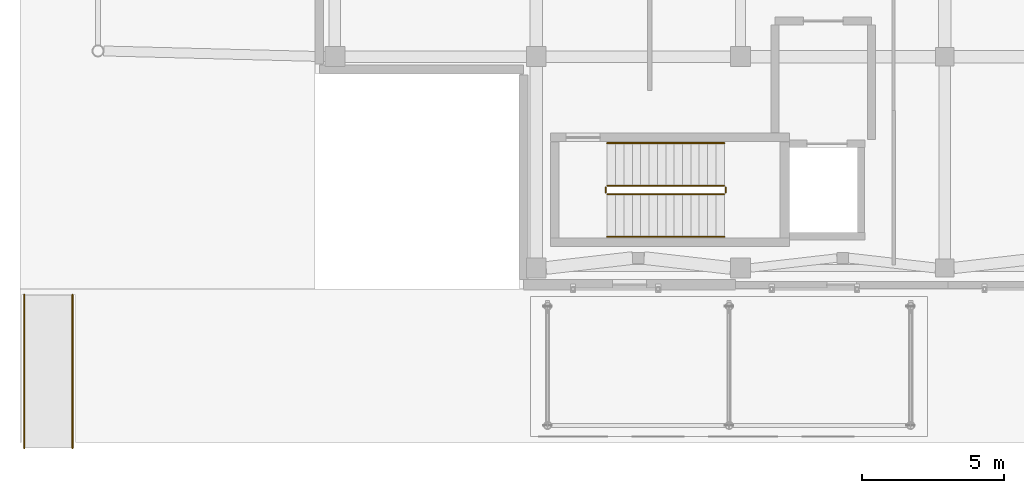
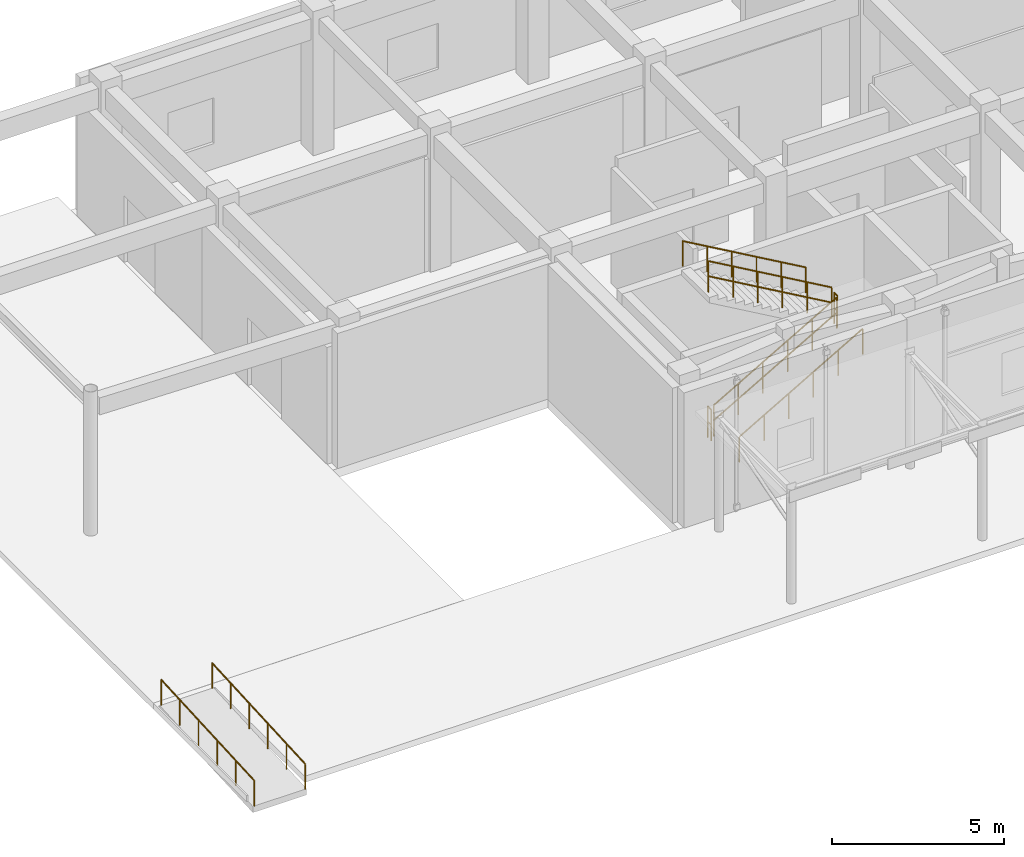
# One storey, part 111 of 121: 8 railings.
"""IFC4 building model written with IfcOpenShell, lengths in metres."""

from ifc_helpers import new_model, si_unit, direction, frame, origin, origin_2d, place, context, subcontext, project, spatial, circle, extrude, material, type_object, element, save


model = new_model("IFC4")

# Units and contexts
model_context = context("Model", 3, precision=1e-05, world=origin(), true_north=direction((0.0, 1.0)))
body_context = subcontext(model_context, "Body", "Model", "MODEL_VIEW")
ifc_project = project(units=[si_unit("LENGTHUNIT", "METRE"), si_unit("AREAUNIT", "SQUARE_METRE"), si_unit("VOLUMEUNIT", "CUBIC_METRE"), si_unit("PLANEANGLEUNIT", "RADIAN"), si_unit("MASSUNIT", "GRAM", prefix="KILO")], contexts=[model_context])

# Site, building, storey
site_placement = place(None, origin())
site = spatial("IfcSite", under=ifc_project, at=site_placement, CompositionType="ELEMENT")
building_placement = place(site_placement, origin())
building = spatial("IfcBuilding", under=site, at=building_placement, Name="Valcora Specialist Clinic", CompositionType="ELEMENT")
storey_placement = place(building_placement, origin())
storey = spatial("IfcBuildingStorey", under=building, at=storey_placement, Name="L00", CompositionType="ELEMENT", Elevation=0.0)

# Railings
ifc_material = material(Name="Stainless Steel AISI 316", Category="steel")
railing_type_1 = type_object("IfcRailingType", Name="TY-RL-GRD112", PredefinedType="GUARDRAIL", material=ifc_material)
railing_1_placement = place(storey_placement, frame((18.699951171875, 3.35009765625, 0.169921875)))
element("IfcRailing", 1, at=railing_1_placement, inside=storey, type_object=railing_type_1, Name="L00 ST-V5A stair guard 1", PredefinedType="GUARDRAIL", context=body_context, shape_type="SweptSolid", body=[
    extrude(circle(Radius=0.02392578125, at=origin_2d()), frame((0.0, 0.0, 1.09619140625), z_axis=(0.866425082981, 0.0, 0.499307095465), x_axis=(0.0, 1.0, 0.0)), (0.0, 0.0, 1.0), 4.766845703125),
    extrude(circle(Radius=0.02392578125, at=origin_2d()), frame((0.0, 0.0, 0.56005859375), z_axis=(0.866425082981, 0.0, 0.499307095465), x_axis=(0.0, 1.0, 0.0)), (0.0, 0.0, 1.0), 4.766845703125),
    extrude(circle(Radius=0.02099609375, at=origin_2d()), origin(), (0.0, 0.0, 1.0), 1.072021484375),
    extrude(circle(Radius=0.02099609375, at=origin_2d()), frame((0.825927734375, 0.0, 0.47607421875)), (0.0, 0.0, 1.0), 1.072021484375),
    extrude(circle(Radius=0.02099609375, at=origin_2d()), frame((1.652099609375, 0.0, 0.9521484375)), (0.0, 0.0, 1.0), 1.072021484375),
    extrude(circle(Radius=0.02099609375, at=origin_2d()), frame((2.47802734375, 0.0, 1.427978515625)), (0.0, 0.0, 1.0), 1.072021484375),
    extrude(circle(Radius=0.02099609375, at=origin_2d()), frame((3.30419921875, 0.0, 1.904052734375)), (0.0, 0.0, 1.0), 1.072021484375),
    extrude(circle(Radius=0.02099609375, at=origin_2d()), frame((4.130126953125, 0.0, 2.380126953125)), (0.0, 0.0, 1.0), 1.072021484375),
])
railing_2_placement = place(storey_placement, frame((22.8798828125, 3.39990234375, 2.550048828125)))
element("IfcRailing", 2, at=railing_2_placement, inside=storey, type_object=railing_type_1, Name="L00 ST-V5A stair guard 2", PredefinedType="GUARDRAIL", context=body_context, shape_type="SweptSolid", body=[
    extrude(circle(Radius=0.02392578125, at=origin_2d()), frame((0.0, 0.0, 1.09619140625), z_axis=(0.0, 1.0, 0.0), x_axis=(-1.0, 0.0, 0.0)), (0.0, 0.0, 1.0), 0.2001953125),
    extrude(circle(Radius=0.02392578125, at=origin_2d()), frame((0.0, 0.0, 0.56005859375), z_axis=(0.0, 1.0, 0.0), x_axis=(-1.0, 0.0, 0.0)), (0.0, 0.0, 1.0), 0.2001953125),
    extrude(circle(Radius=0.02099609375, at=origin_2d()), origin(), (0.0, 0.0, 1.0), 1.072021484375),
    extrude(circle(Radius=0.02099609375, at=origin_2d()), frame((0.0, 0.2001953125, 0.0)), (0.0, 0.0, 1.0), 1.072021484375),
])
railing_3_placement = place(storey_placement, frame((22.830078125, 3.64990234375, 2.719970703125)))
element("IfcRailing", 3, at=railing_3_placement, inside=storey, type_object=railing_type_1, Name="L00 ST-V5A stair guard 3", PredefinedType="GUARDRAIL", context=body_context, shape_type="SweptSolid", body=[
    extrude(circle(Radius=0.02392578125, at=origin_2d()), frame((0.0, 0.0, 1.09619140625), z_axis=(-0.866425082981, 0.0, 0.499307095465), x_axis=(0.0, -1.0, 0.0)), (0.0, 0.0, 1.0), 4.766845703125),
    extrude(circle(Radius=0.02392578125, at=origin_2d()), frame((0.0, 0.0, 0.56005859375), z_axis=(-0.866425082981, 0.0, 0.499307095465), x_axis=(0.0, -1.0, 0.0)), (0.0, 0.0, 1.0), 4.766845703125),
    extrude(circle(Radius=0.02099609375, at=origin_2d()), origin(), (0.0, 0.0, 1.0), 1.072021484375),
    extrude(circle(Radius=0.02099609375, at=origin_2d()), frame((-0.825927734375, 0.0, 0.47607421875)), (0.0, 0.0, 1.0), 1.072021484375),
    extrude(circle(Radius=0.02099609375, at=origin_2d()), frame((-1.652099609375, 0.0, 0.9521484375)), (0.0, 0.0, 1.0), 1.072021484375),
    extrude(circle(Radius=0.02099609375, at=origin_2d()), frame((-2.47802734375, 0.0, 1.427978515625)), (0.0, 0.0, 1.0), 1.072021484375),
    extrude(circle(Radius=0.02099609375, at=origin_2d()), frame((-3.30419921875, 0.0, 1.904052734375)), (0.0, 0.0, 1.0), 1.072021484375),
    extrude(circle(Radius=0.02099609375, at=origin_2d()), frame((-4.130126953125, 0.0, 2.380126953125)), (0.0, 0.0, 1.0), 1.072021484375),
])
railing_4_placement = place(storey_placement, frame((18.64990234375, 3.39990234375, 0.0)))
element("IfcRailing", 4, at=railing_4_placement, inside=storey, type_object=railing_type_1, Name="L00 ST-V5A stair guard 4", PredefinedType="GUARDRAIL", context=body_context, shape_type="SweptSolid", body=[
    extrude(circle(Radius=0.02392578125, at=origin_2d()), frame((0.0, 0.0, 1.09619140625), z_axis=(0.0, 1.0, 0.0), x_axis=(-1.0, 0.0, 0.0)), (0.0, 0.0, 1.0), 0.2001953125),
    extrude(circle(Radius=0.02392578125, at=origin_2d()), frame((0.0, 0.0, 0.56005859375), z_axis=(0.0, 1.0, 0.0), x_axis=(-1.0, 0.0, 0.0)), (0.0, 0.0, 1.0), 0.2001953125),
    extrude(circle(Radius=0.02099609375, at=origin_2d()), origin(), (0.0, 0.0, 1.0), 1.072021484375),
    extrude(circle(Radius=0.02099609375, at=origin_2d()), frame((0.0, 0.2001953125, 0.0)), (0.0, 0.0, 1.0), 1.072021484375),
])
railing_type_2 = type_object("IfcRailingType", Name="TY-RL-HND092", PredefinedType="HANDRAIL", material=ifc_material)
railing_5_placement = place(storey_placement, frame((18.699951171875, 1.85009765625, 0.169921875)))
element("IfcRailing", 5, at=railing_5_placement, inside=storey, type_object=railing_type_2, Name="L00 ST-V5A stair handrail 1", PredefinedType="HANDRAIL", context=body_context, shape_type="SweptSolid", body=[
    extrude(circle(Radius=0.02392578125, at=origin_2d()), frame((0.0, 0.0, 0.89599609375), z_axis=(0.866425082981, 0.0, 0.499307095465), x_axis=(0.0, 1.0, 0.0)), (0.0, 0.0, 1.0), 4.766845703125),
    extrude(circle(Radius=0.02099609375, at=origin_2d()), origin(), (0.0, 0.0, 1.0), 0.871826171875),
    extrude(circle(Radius=0.02099609375, at=origin_2d()), frame((0.825927734375, 0.0, 0.47607421875)), (0.0, 0.0, 1.0), 0.871826171875),
    extrude(circle(Radius=0.02099609375, at=origin_2d()), frame((1.652099609375, 0.0, 0.9521484375)), (0.0, 0.0, 1.0), 0.871826171875),
    extrude(circle(Radius=0.02099609375, at=origin_2d()), frame((2.47802734375, 0.0, 1.427978515625)), (0.0, 0.0, 1.0), 0.871826171875),
    extrude(circle(Radius=0.02099609375, at=origin_2d()), frame((3.30419921875, 0.0, 1.904052734375)), (0.0, 0.0, 1.0), 0.871826171875),
    extrude(circle(Radius=0.02099609375, at=origin_2d()), frame((4.130126953125, 0.0, 2.380126953125)), (0.0, 0.0, 1.0), 0.871826171875),
])
railing_6_placement = place(storey_placement, frame((22.830078125, 5.14990234375, 2.719970703125)))
element("IfcRailing", 6, at=railing_6_placement, inside=storey, type_object=railing_type_2, Name="L00 ST-V5A stair handrail 2", PredefinedType="HANDRAIL", context=body_context, shape_type="SweptSolid", body=[
    extrude(circle(Radius=0.02392578125, at=origin_2d()), frame((0.0, 0.0, 0.89599609375), z_axis=(-0.866425082981, 0.0, 0.499307095465), x_axis=(0.0, -1.0, 0.0)), (0.0, 0.0, 1.0), 4.766845703125),
    extrude(circle(Radius=0.02099609375, at=origin_2d()), origin(), (0.0, 0.0, 1.0), 0.871826171875),
    extrude(circle(Radius=0.02099609375, at=origin_2d()), frame((-0.825927734375, 0.0, 0.47607421875)), (0.0, 0.0, 1.0), 0.871826171875),
    extrude(circle(Radius=0.02099609375, at=origin_2d()), frame((-1.652099609375, 0.0, 0.9521484375)), (0.0, 0.0, 1.0), 0.871826171875),
    extrude(circle(Radius=0.02099609375, at=origin_2d()), frame((-2.47802734375, 0.0, 1.427978515625)), (0.0, 0.0, 1.0), 0.871826171875),
    extrude(circle(Radius=0.02099609375, at=origin_2d()), frame((-3.30419921875, 0.0, 1.904052734375)), (0.0, 0.0, 1.0), 0.871826171875),
    extrude(circle(Radius=0.02099609375, at=origin_2d()), frame((-4.130126953125, 0.0, 2.380126953125)), (0.0, 0.0, 1.0), 0.871826171875),
])
for number, where, name in (
    (7, (-0.14990234375, -5.60009765625, -0.300048828125), "Ramp handrail RM-PED-01 L"),
    (8, (-1.85009765625, -5.60009765625, -0.300048828125), "Ramp handrail RM-PED-01 R"),
):
    element("IfcRailing", number, at=place(storey_placement, frame(where)), inside=storey, type_object=railing_type_2, Name=name, PredefinedType="HANDRAIL", context=body_context, shape_type="SweptSolid", body=[
        extrude(circle(Radius=0.02392578125, at=origin_2d()), frame((0.0, 0.0, 0.89599609375), z_axis=(0.0, 0.998459936497, 0.055477519868), x_axis=(-1.0, 0.0, 0.0)), (0.0, 0.0, 1.0), 5.408447265625),
        extrude(circle(Radius=0.02099609375, at=origin_2d()), origin(), (0.0, 0.0, 1.0), 0.871826171875),
        extrude(circle(Radius=0.02099609375, at=origin_2d()), frame((0.0, 1.080078125, 0.06005859375)), (0.0, 0.0, 1.0), 0.871826171875),
        extrude(circle(Radius=0.02099609375, at=origin_2d()), frame((0.0, 2.16015625, 0.1201171875)), (0.0, 0.0, 1.0), 0.871826171875),
        extrude(circle(Radius=0.02099609375, at=origin_2d()), frame((0.0, 3.239990234375, 0.179931640625)), (0.0, 0.0, 1.0), 0.871826171875),
        extrude(circle(Radius=0.02099609375, at=origin_2d()), frame((0.0, 4.320068359375, 0.239990234375)), (0.0, 0.0, 1.0), 0.871826171875),
        extrude(circle(Radius=0.02099609375, at=origin_2d()), frame((0.0, 5.400146484375, 0.300048828125)), (0.0, 0.0, 1.0), 0.871826171875),
    ])

save(model, "model.ifc")
